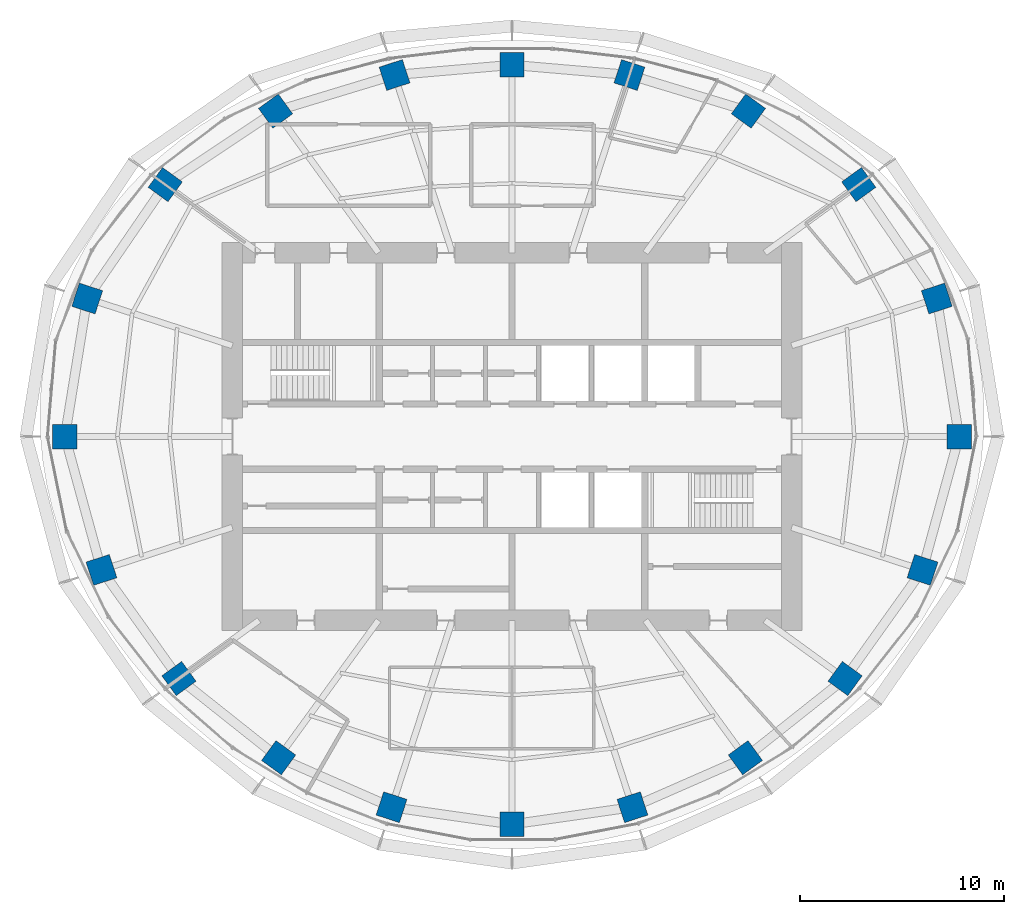
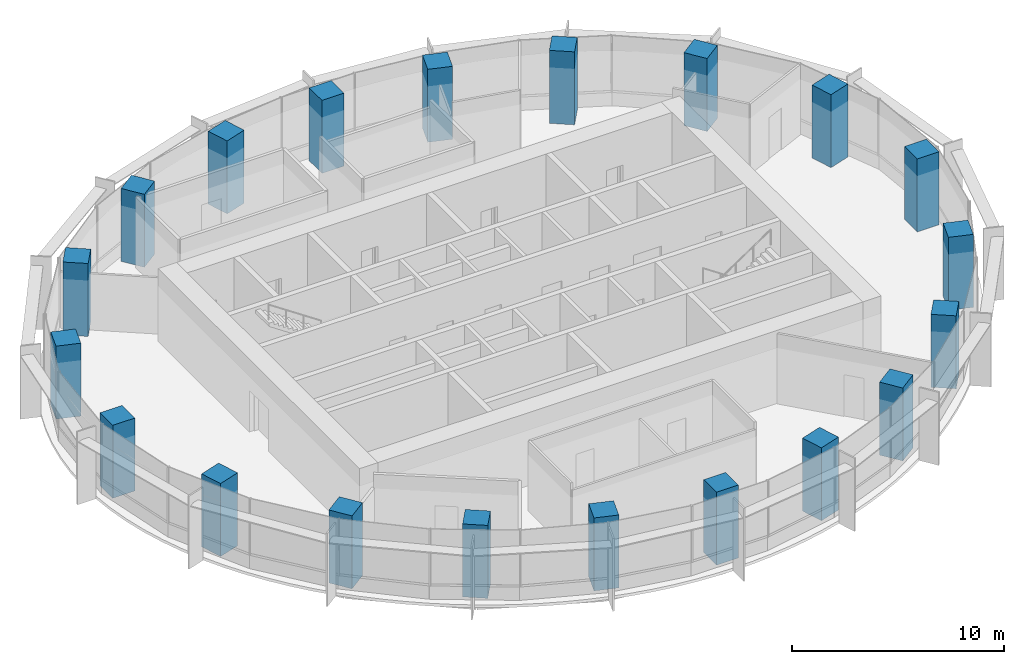
# One storey, part 1 of 13: 20 columns.
"""IFC4 building model written with IfcOpenShell, lengths in metres."""

from ifc_helpers import new_model, si_unit, direction, frame, origin, origin_2d, place, context, subcontext, project, spatial, rectangle, extrude, material, material_profile, profile_set, type_object, element, save


model = new_model("IFC4")

# Units and contexts
model_context = context("Model", 3, precision=1e-05, world=origin(), true_north=direction((0.0, 1.0)))
body_context = subcontext(model_context, "Body", "Model", "MODEL_VIEW")
ifc_project = project(units=[si_unit("LENGTHUNIT", "METRE"), si_unit("AREAUNIT", "SQUARE_METRE"), si_unit("VOLUMEUNIT", "CUBIC_METRE"), si_unit("PLANEANGLEUNIT", "RADIAN"), si_unit("MASSUNIT", "GRAM", prefix="KILO")], contexts=[model_context])

# Site, building, storey
site_placement = place(None, origin())
site = spatial("IfcSite", under=ifc_project, at=site_placement, CompositionType="ELEMENT")
building_placement = place(site_placement, origin())
building = spatial("IfcBuilding", under=site, at=building_placement, Name="Marramba Exchange Tower", CompositionType="ELEMENT")
storey_placement = place(building_placement, frame((0.0, 0.0, 268.60009765625)))
storey = spatial("IfcBuildingStorey", under=building, at=storey_placement, Name="L65", CompositionType="ELEMENT", Elevation=268.60009765625)

# Columns
ifc_material = material(Name="Concrete N50", Category="concrete")
ifc_material_profile = material_profile(ifc_material, rectangle(XDim=1.199951171875, YDim=1.199951171875, at=origin_2d()), Name="RC 1200x1200")
ifc_profile_set = profile_set([ifc_material_profile], Name="Concrete N50")
column_type = type_object("IfcColumnType", Name="Perimeter column RC 1200x1200 N50", PredefinedType="COLUMN", material=ifc_profile_set)
for number, where, z_axis, x_axis, name in (
    (1, (21.89990234375, 0.0, 0.0), (0.0, 0.0, 1.0), (1.0, 0.0, 0.0), "Column TC01 L65"),
    (2, (20.808349609375, 6.760986328125, 0.0), (0.0, 0.0, 1.0), (0.951056516295, 0.309016994375, 0.0), "Column TC02 L65"),
    (3, (16.98583984375, 12.3408203125, 0.0), (0.0, 0.0, 1.0), (0.809016994375, 0.587785252292, 0.0), "Column TC03 L65"),
    (4, (11.581298828125, 15.9404296875, 0.0), (0.0, 0.0, 1.0), (0.587785252292, 0.809016994375, 0.0), "Column TC04 L65"),
    (5, (5.75390625, 17.70849609375, 0.0), (0.0, 0.0, 1.0), (0.309016994375, 0.951056516295, 0.0), "Column TC05 L65"),
    (6, (0.0, 18.2041015625, 0.0), (0.0, 0.0, 1.0), (0.0, 1.0, 0.0), "Column TC06 L65"),
    (7, (-5.75390625, 17.70849609375, 0.0), (0.0, 0.0, 1.0), (-0.309016994375, 0.951056516295, 0.0), "Column TC07 L65"),
    (8, (-11.581298828125, 15.9404296875, 0.0), (0.0, 0.0, 1.0), (-0.587785252292, 0.809016994375, 0.0), "Column TC08 L65"),
    (9, (-16.98583984375, 12.3408203125, 0.0), (0.0, 0.0, 1.0), (-0.809016994375, 0.587785252292, 0.0), "Column TC09 L65"),
    (10, (-20.808349609375, 6.760986328125, 0.0), (0.0, 0.0, 1.0), (-0.951056516295, 0.309016994375, 0.0), "Column TC10 L65"),
    (11, (-21.89990234375, 0.0, 0.0), (0.0, 0.0, 1.0), (-1.0, 0.0, 0.0), "Column TC11 L65"),
    (12, (-20.109375, -6.533935546875, 0.0), (0.0, 0.0, 1.0), (-0.951056516295, -0.309016994375, 0.0), "Column TC12 L65"),
    (13, (-16.3154296875, -11.853759765625, 0.0), (0.0, 0.0, 1.0), (-0.809016994375, -0.587785252292, 0.0), "Column TC13 L65"),
    (14, (-11.430419921875, -15.732666015625, 0.0), (0.0, 0.0, 1.0), (-0.587785252292, -0.809016994375, 0.0), "Column TC14 L65"),
    (15, (-5.899658203125, -18.156982421875, 0.0), (0.0, 0.0, 1.0), (-0.309016994375, -0.951056516295, 0.0), "Column TC15 L65"),
    (16, (0.0, -18.99609375, 0.0), (0.0, 0.0, 1.0), (0.0, -1.0, 0.0), "Column TC16 L65"),
    (17, (5.899658203125, -18.156982421875, 0.0), (0.0, 0.0, 1.0), (0.309016994375, -0.951056516295, 0.0), "Column TC17 L65"),
    (18, (11.430419921875, -15.732666015625, 0.0), (0.0, 0.0, 1.0), (0.587785252292, -0.809016994375, 0.0), "Column TC18 L65"),
    (19, (16.3154296875, -11.853759765625, 0.0), (0.0, 0.0, 1.0), (0.809016994375, -0.587785252292, 0.0), "Column TC19 L65"),
    (20, (20.109375, -6.533935546875, 0.0), (0.0, 0.0, 1.0), (0.951056516295, -0.309016994375, 0.0), "Column TC20 L65"),
):
    element("IfcColumn", number, at=place(storey_placement, frame(where, z_axis=z_axis, x_axis=x_axis)), inside=storey, type_object=column_type, Name=name, PredefinedType="COLUMN", context=body_context, shape_type="SweptSolid", body=[
        extrude(rectangle(XDim=1.199951171875, YDim=1.199951171875, at=origin_2d()), origin(), (0.0, 0.0, 1.0), 4.199951171875),
    ])

save(model, "model.ifc")
